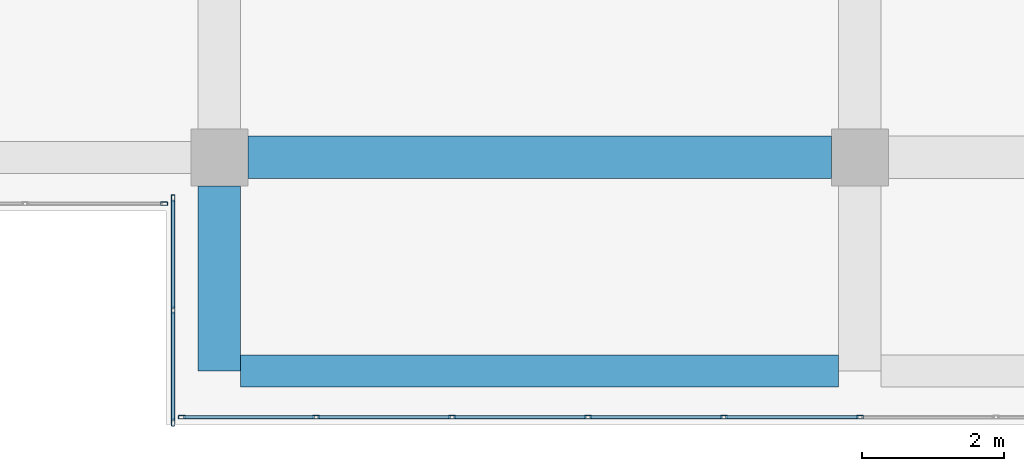
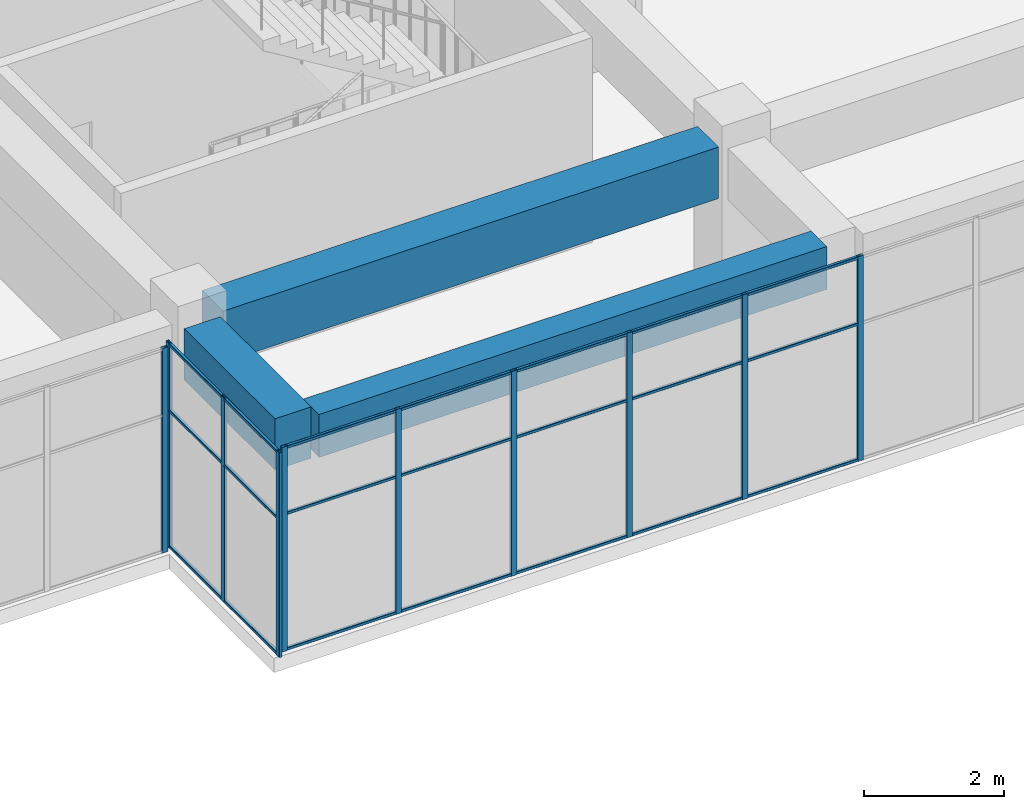
# One storey, part 21 of 52: 31 members, 3 beams, 3 elements without a shape of their own.
"""IFC4 building model written with IfcOpenShell, lengths in metres."""

from ifc_helpers import new_model, si_unit, direction, frame, origin, origin_2d, place, context, subcontext, project, spatial, rectangle, hollow_rectangle, extrude, material, layer, layer_set, material_profile, profile_set, type_object, element, aggregate, save


model = new_model("IFC4")

# Units and contexts
model_context = context("Model", 3, precision=1e-05, world=origin(), true_north=direction((0.0, 1.0)))
body_context = subcontext(model_context, "Body", "Model", "MODEL_VIEW")
ifc_project = project(units=[si_unit("LENGTHUNIT", "METRE"), si_unit("AREAUNIT", "SQUARE_METRE"), si_unit("VOLUMEUNIT", "CUBIC_METRE"), si_unit("PLANEANGLEUNIT", "RADIAN"), si_unit("MASSUNIT", "GRAM", prefix="KILO")], contexts=[model_context])

# Site, building, storey
site_placement = place(None, origin())
site = spatial("IfcSite", under=ifc_project, at=site_placement, CompositionType="ELEMENT")
building_placement = place(site_placement, origin())
building = spatial("IfcBuilding", under=site, at=building_placement, Name="Tuart Plaza Theatre", CompositionType="ELEMENT")
storey_placement = place(building_placement, frame((0.0, 0.0, 25.5)))
storey = spatial("IfcBuildingStorey", under=building, at=storey_placement, Name="L06", CompositionType="ELEMENT", Elevation=25.5)

# Beams
ifc_material_1 = material(Name="Concrete N40 (40 MPa)", Category="concrete")
ifc_material_profile_1 = material_profile(ifc_material_1, rectangle(XDim=0.449951171875, YDim=0.75, at=origin_2d()), Name="BEAM 450x750 Concrete N40 (40 MPa)")
ifc_profile_set_1 = profile_set([ifc_material_profile_1], Name="Concrete N40 (40 MPa)")
beam_type_1 = type_object("IfcBeamType", Name="BEAM 450x750 Concrete N40 (40 MPa)", PredefinedType="BEAM", material=ifc_profile_set_1)
beam_1_placement = place(storey_placement, frame((132.300048828125, 53.0, 3.205078125), z_axis=(1.0, 0.0, 0.0), x_axis=(0.0, 1.0, 0.0)))
element("IfcBeam", 1, at=beam_1_placement, inside=storey, type_object=beam_type_1, Name="RB221", PredefinedType="BEAM", context=body_context, shape_type="SweptSolid", body=[
    extrude(rectangle(XDim=0.449951171875, YDim=0.75, at=origin_2d()), origin(), (0.0, 0.0, 1.0), 8.39990234375),
])
ifc_material_2 = material(Name="Concrete N40 (40 MPa)", Category="concrete")
ifc_material_profile_2 = material_profile(ifc_material_2, rectangle(XDim=0.60009765625, YDim=0.89990234375, at=origin_2d()), Name="BEAM 600x900 Concrete N40 (40 MPa)")
ifc_profile_set_2 = profile_set([ifc_material_profile_2], Name="Concrete N40 (40 MPa)")
beam_type_2 = type_object("IfcBeamType", Name="BEAM 600x900 Concrete N40 (40 MPa)", PredefinedType="BEAM", material=ifc_profile_set_2)
beam_2_placement = place(storey_placement, frame((132.0, 53.0, 3.1298828125), z_axis=(0.0, 1.0, 0.0), x_axis=(-1.0, 0.0, 0.0)))
element("IfcBeam", 2, at=beam_2_placement, inside=storey, type_object=beam_type_2, Name="RB220", PredefinedType="BEAM", context=body_context, shape_type="SweptSolid", body=[
    extrude(rectangle(XDim=0.60009765625, YDim=0.89990234375, at=origin_2d()), origin(), (0.0, 0.0, 1.0), 2.60009765625),
])
beam_3_placement = place(storey_placement, frame((132.39990234375, 56.0, 3.1298828125), z_axis=(1.0, 0.0, 0.0), x_axis=(0.0, 1.0, 0.0)))
element("IfcBeam", 3, at=beam_3_placement, inside=storey, type_object=beam_type_2, Name="RB223", PredefinedType="BEAM", context=body_context, shape_type="SweptSolid", body=[
    extrude(rectangle(XDim=0.60009765625, YDim=0.89990234375, at=origin_2d()), origin(), (0.0, 0.0, 1.0), 8.2001953125),
])

# Curtain wall, members
ifc_material_3 = material(Name="Aluminium and glass", Category="aluminium")
ifc_layer = layer(ifc_material_3, 0.10009765625)
ifc_layer_set = layer_set([ifc_layer], Name="CURTAIN WALL 2000 module")
curtain_wall_type = type_object("IfcCurtainWallType", Name="CURTAIN WALL 2000 module", PredefinedType="NOTDEFINED", material=ifc_layer_set)
curtain_wall_1_placement = place(storey_placement, origin())
curtain_wall_1 = element("IfcCurtainWall", 4, at=curtain_wall_1_placement, inside=storey, type_object=curtain_wall_type, Name="CW75", PredefinedType="NOTDEFINED")
ifc_material_4 = material(Name="Aluminium 6063-T5", Category="aluminium")
ifc_material_profile_3 = material_profile(ifc_material_4, hollow_rectangle(XDim=0.050048828125, YDim=0.10009765625, WallThickness=0.00390625, InnerFilletRadius=0.00390625, OuterFilletRadius=0.008056640625, at=origin_2d()), Name="RHS 100x50x4")
ifc_profile_set_3 = profile_set([ifc_material_profile_3], Name="Aluminium 6063-T5")
member_type_1 = type_object("IfcMemberType", Name="MULLION RHS 100x50x4", PredefinedType="MULLION", material=ifc_profile_set_3)
member_1_placement = place(storey_placement, frame((131.35009765625, 55.425048828125, 0.0), z_axis=(0.0, 0.0, 1.0), x_axis=(1.0, 0.0, 0.0)))
member_1 = element("IfcMember", 5, at=member_1_placement, type_object=member_type_1, Name="CW75 mullion 1", PredefinedType="MULLION", context=body_context, shape_type="SweptSolid", body=[
    extrude(hollow_rectangle(XDim=0.050048828125, YDim=0.10009765625, WallThickness=0.00390625, InnerFilletRadius=0.00390625, OuterFilletRadius=0.008056640625, at=origin_2d()), origin(), (0.0, 0.0, 1.0), 3.580078125),
])
member_2_placement = place(storey_placement, frame((131.35009765625, 53.85009765625, 0.0), z_axis=(0.0, 0.0, 1.0), x_axis=(1.0, 0.0, 0.0)))
member_2 = element("IfcMember", 6, at=member_2_placement, type_object=member_type_1, Name="CW75 mullion 2", PredefinedType="MULLION", context=body_context, shape_type="SweptSolid", body=[
    extrude(hollow_rectangle(XDim=0.050048828125, YDim=0.10009765625, WallThickness=0.00390625, InnerFilletRadius=0.00390625, OuterFilletRadius=0.008056640625, at=origin_2d()), origin(), (0.0, 0.0, 1.0), 3.580078125),
])
member_3_placement = place(storey_placement, frame((131.35009765625, 52.27490234375, 0.0), z_axis=(0.0, 0.0, 1.0), x_axis=(1.0, 0.0, 0.0)))
member_3 = element("IfcMember", 7, at=member_3_placement, type_object=member_type_1, Name="CW75 mullion 3", PredefinedType="MULLION", context=body_context, shape_type="SweptSolid", body=[
    extrude(hollow_rectangle(XDim=0.050048828125, YDim=0.10009765625, WallThickness=0.00390625, InnerFilletRadius=0.00390625, OuterFilletRadius=0.008056640625, at=origin_2d()), origin(), (0.0, 0.0, 1.0), 3.580078125),
])

curtain_wall_2_placement = place(storey_placement, origin())
curtain_wall_2 = element("IfcCurtainWall", 8, at=curtain_wall_2_placement, inside=storey, type_object=curtain_wall_type, Name="CW76", PredefinedType="NOTDEFINED")
member_4_placement = place(storey_placement, frame((131.47509765625, 52.35009765625, 0.0), z_axis=(0.0, 0.0, 1.0), x_axis=(0.0, 1.0, 0.0)))
member_4 = element("IfcMember", 9, at=member_4_placement, type_object=member_type_1, Name="CW76 mullion 1", PredefinedType="MULLION", context=body_context, shape_type="SweptSolid", body=[
    extrude(hollow_rectangle(XDim=0.050048828125, YDim=0.10009765625, WallThickness=0.00390625, InnerFilletRadius=0.00390625, OuterFilletRadius=0.008056640625, at=origin_2d()), origin(), (0.0, 0.0, 1.0), 3.580078125),
])
member_5_placement = place(storey_placement, frame((133.360107421875, 52.35009765625, 0.0), z_axis=(0.0, 0.0, 1.0), x_axis=(0.0, 1.0, 0.0)))
member_5 = element("IfcMember", 10, at=member_5_placement, type_object=member_type_1, Name="CW76 mullion 2", PredefinedType="MULLION", context=body_context, shape_type="SweptSolid", body=[
    extrude(hollow_rectangle(XDim=0.050048828125, YDim=0.10009765625, WallThickness=0.00390625, InnerFilletRadius=0.00390625, OuterFilletRadius=0.008056640625, at=origin_2d()), origin(), (0.0, 0.0, 1.0), 3.580078125),
])
member_6_placement = place(storey_placement, frame((135.27001953125, 52.35009765625, 0.0), z_axis=(0.0, 0.0, 1.0), x_axis=(0.0, 1.0, 0.0)))
member_6 = element("IfcMember", 11, at=member_6_placement, type_object=member_type_1, Name="CW76 mullion 3", PredefinedType="MULLION", context=body_context, shape_type="SweptSolid", body=[
    extrude(hollow_rectangle(XDim=0.050048828125, YDim=0.10009765625, WallThickness=0.00390625, InnerFilletRadius=0.00390625, OuterFilletRadius=0.008056640625, at=origin_2d()), origin(), (0.0, 0.0, 1.0), 3.580078125),
])
member_7_placement = place(storey_placement, frame((137.179931640625, 52.35009765625, 0.0), z_axis=(0.0, 0.0, 1.0), x_axis=(0.0, 1.0, 0.0)))
member_7 = element("IfcMember", 12, at=member_7_placement, type_object=member_type_1, Name="CW76 mullion 4", PredefinedType="MULLION", context=body_context, shape_type="SweptSolid", body=[
    extrude(hollow_rectangle(XDim=0.050048828125, YDim=0.10009765625, WallThickness=0.00390625, InnerFilletRadius=0.00390625, OuterFilletRadius=0.008056640625, at=origin_2d()), origin(), (0.0, 0.0, 1.0), 3.580078125),
])
member_8_placement = place(storey_placement, frame((139.090087890625, 52.35009765625, 0.0), z_axis=(0.0, 0.0, 1.0), x_axis=(0.0, 1.0, 0.0)))
member_8 = element("IfcMember", 13, at=member_8_placement, type_object=member_type_1, Name="CW76 mullion 5", PredefinedType="MULLION", context=body_context, shape_type="SweptSolid", body=[
    extrude(hollow_rectangle(XDim=0.050048828125, YDim=0.10009765625, WallThickness=0.00390625, InnerFilletRadius=0.00390625, OuterFilletRadius=0.008056640625, at=origin_2d()), origin(), (0.0, 0.0, 1.0), 3.580078125),
])
member_9_placement = place(storey_placement, frame((141.0, 52.35009765625, 0.0), z_axis=(0.0, 0.0, 1.0), x_axis=(0.0, 1.0, 0.0)))
member_9 = element("IfcMember", 14, at=member_9_placement, type_object=member_type_1, Name="CW76 mullion 6", PredefinedType="MULLION", context=body_context, shape_type="SweptSolid", body=[
    extrude(hollow_rectangle(XDim=0.050048828125, YDim=0.10009765625, WallThickness=0.00390625, InnerFilletRadius=0.00390625, OuterFilletRadius=0.008056640625, at=origin_2d()), origin(), (0.0, 0.0, 1.0), 3.580078125),
])

# Curtain wall, member
curtain_wall_3_placement = place(storey_placement, origin())
curtain_wall_3 = element("IfcCurtainWall", 15, at=curtain_wall_3_placement, inside=storey, type_object=curtain_wall_type, Name="CW87", PredefinedType="NOTDEFINED")
member_10_placement = place(storey_placement, frame((131.22509765625, 55.35009765625, 0.0), z_axis=(0.0, 0.0, 1.0), x_axis=(0.0, 1.0, 0.0)))
member_10 = element("IfcMember", 16, at=member_10_placement, type_object=member_type_1, Name="CW87 mullion 10", PredefinedType="MULLION", context=body_context, shape_type="SweptSolid", body=[
    extrude(hollow_rectangle(XDim=0.050048828125, YDim=0.10009765625, WallThickness=0.00390625, InnerFilletRadius=0.00390625, OuterFilletRadius=0.008056640625, at=origin_2d()), origin(), (0.0, 0.0, 1.0), 3.580078125),
])
aggregate(curtain_wall_3, [member_10])

# Member
ifc_material_5 = material(Name="Aluminium 6063-T5", Category="aluminium")
ifc_material_profile_4 = material_profile(ifc_material_5, hollow_rectangle(XDim=0.050048828125, YDim=0.050048828125, WallThickness=0.00390625, InnerFilletRadius=0.00390625, OuterFilletRadius=0.008056640625, at=origin_2d()), Name="RHS 50x50x4")
ifc_profile_set_4 = profile_set([ifc_material_profile_4], Name="Aluminium 6063-T5")
member_type_2 = type_object("IfcMemberType", Name="TRANSOM RHS 50x50x4", PredefinedType="USERDEFINED", material=ifc_profile_set_4)
member_11_placement = place(storey_placement, frame((131.35009765625, 55.39990234375, 0.02490234375), z_axis=(0.0, -1.0, 0.0), x_axis=(1.0, 0.0, 0.0)))
member_11 = element("IfcMember", 17, at=member_11_placement, type_object=member_type_2, Name="CW75 transom 1.1", ObjectType="TRANSOM", PredefinedType="USERDEFINED", context=body_context, shape_type="SweptSolid", body=[
    extrude(hollow_rectangle(XDim=0.050048828125, YDim=0.050048828125, WallThickness=0.00390625, InnerFilletRadius=0.00390625, OuterFilletRadius=0.008056640625, at=origin_2d()), origin(), (0.0, 0.0, 1.0), 1.52490234375),
])

member_12_placement = place(storey_placement, frame((131.35009765625, 55.39990234375, 2.39990234375), z_axis=(0.0, -1.0, 0.0), x_axis=(1.0, 0.0, 0.0)))
member_12 = element("IfcMember", 18, at=member_12_placement, type_object=member_type_2, Name="CW75 transom 1.2", ObjectType="TRANSOM", PredefinedType="USERDEFINED", context=body_context, shape_type="SweptSolid", body=[
    extrude(hollow_rectangle(XDim=0.050048828125, YDim=0.050048828125, WallThickness=0.00390625, InnerFilletRadius=0.00390625, OuterFilletRadius=0.008056640625, at=origin_2d()), origin(), (0.0, 0.0, 1.0), 1.52490234375),
])

member_13_placement = place(storey_placement, frame((131.35009765625, 55.39990234375, 3.554931640625), z_axis=(0.0, -1.0, 0.0), x_axis=(1.0, 0.0, 0.0)))
member_13 = element("IfcMember", 19, at=member_13_placement, type_object=member_type_2, Name="CW75 transom 1.3", ObjectType="TRANSOM", PredefinedType="USERDEFINED", context=body_context, shape_type="SweptSolid", body=[
    extrude(hollow_rectangle(XDim=0.050048828125, YDim=0.050048828125, WallThickness=0.00390625, InnerFilletRadius=0.00390625, OuterFilletRadius=0.008056640625, at=origin_2d()), origin(), (0.0, 0.0, 1.0), 1.52490234375),
])

member_14_placement = place(storey_placement, frame((131.35009765625, 53.824951171875, 0.02490234375), z_axis=(0.0, -1.0, 0.0), x_axis=(1.0, 0.0, 0.0)))
member_14 = element("IfcMember", 20, at=member_14_placement, type_object=member_type_2, Name="CW75 transom 2.1", ObjectType="TRANSOM", PredefinedType="USERDEFINED", context=body_context, shape_type="SweptSolid", body=[
    extrude(hollow_rectangle(XDim=0.050048828125, YDim=0.050048828125, WallThickness=0.00390625, InnerFilletRadius=0.00390625, OuterFilletRadius=0.008056640625, at=origin_2d()), origin(), (0.0, 0.0, 1.0), 1.52490234375),
])

member_15_placement = place(storey_placement, frame((131.35009765625, 53.824951171875, 2.39990234375), z_axis=(0.0, -1.0, 0.0), x_axis=(1.0, 0.0, 0.0)))
member_15 = element("IfcMember", 21, at=member_15_placement, type_object=member_type_2, Name="CW75 transom 2.2", ObjectType="TRANSOM", PredefinedType="USERDEFINED", context=body_context, shape_type="SweptSolid", body=[
    extrude(hollow_rectangle(XDim=0.050048828125, YDim=0.050048828125, WallThickness=0.00390625, InnerFilletRadius=0.00390625, OuterFilletRadius=0.008056640625, at=origin_2d()), origin(), (0.0, 0.0, 1.0), 1.52490234375),
])

member_16_placement = place(storey_placement, frame((131.35009765625, 53.824951171875, 3.554931640625), z_axis=(0.0, -1.0, 0.0), x_axis=(1.0, 0.0, 0.0)))
member_16 = element("IfcMember", 22, at=member_16_placement, type_object=member_type_2, Name="CW75 transom 2.3", ObjectType="TRANSOM", PredefinedType="USERDEFINED", context=body_context, shape_type="SweptSolid", body=[
    extrude(hollow_rectangle(XDim=0.050048828125, YDim=0.050048828125, WallThickness=0.00390625, InnerFilletRadius=0.00390625, OuterFilletRadius=0.008056640625, at=origin_2d()), origin(), (0.0, 0.0, 1.0), 1.52490234375),
])

aggregate(curtain_wall_1, [member_1, member_2, member_3, member_11, member_12, member_13, member_14, member_15, member_16])

member_17_placement = place(storey_placement, frame((131.5, 52.35009765625, 0.02490234375), z_axis=(1.0, 0.0, 0.0), x_axis=(0.0, 1.0, 0.0)))
member_17 = element("IfcMember", 23, at=member_17_placement, type_object=member_type_2, Name="CW76 transom 1.1", ObjectType="TRANSOM", PredefinedType="USERDEFINED", context=body_context, shape_type="SweptSolid", body=[
    extrude(hollow_rectangle(XDim=0.050048828125, YDim=0.050048828125, WallThickness=0.00390625, InnerFilletRadius=0.00390625, OuterFilletRadius=0.008056640625, at=origin_2d()), origin(), (0.0, 0.0, 1.0), 1.8349609375),
])

member_18_placement = place(storey_placement, frame((131.5, 52.35009765625, 2.39990234375), z_axis=(1.0, 0.0, 0.0), x_axis=(0.0, 1.0, 0.0)))
member_18 = element("IfcMember", 24, at=member_18_placement, type_object=member_type_2, Name="CW76 transom 1.2", ObjectType="TRANSOM", PredefinedType="USERDEFINED", context=body_context, shape_type="SweptSolid", body=[
    extrude(hollow_rectangle(XDim=0.050048828125, YDim=0.050048828125, WallThickness=0.00390625, InnerFilletRadius=0.00390625, OuterFilletRadius=0.008056640625, at=origin_2d()), origin(), (0.0, 0.0, 1.0), 1.8349609375),
])

member_19_placement = place(storey_placement, frame((131.5, 52.35009765625, 3.554931640625), z_axis=(1.0, 0.0, 0.0), x_axis=(0.0, 1.0, 0.0)))
member_19 = element("IfcMember", 25, at=member_19_placement, type_object=member_type_2, Name="CW76 transom 1.3", ObjectType="TRANSOM", PredefinedType="USERDEFINED", context=body_context, shape_type="SweptSolid", body=[
    extrude(hollow_rectangle(XDim=0.050048828125, YDim=0.050048828125, WallThickness=0.00390625, InnerFilletRadius=0.00390625, OuterFilletRadius=0.008056640625, at=origin_2d()), origin(), (0.0, 0.0, 1.0), 1.8349609375),
])

member_20_placement = place(storey_placement, frame((133.385009765625, 52.35009765625, 0.02490234375), z_axis=(1.0, 0.0, 0.0), x_axis=(0.0, 1.0, 0.0)))
member_20 = element("IfcMember", 26, at=member_20_placement, type_object=member_type_2, Name="CW76 transom 2.1", ObjectType="TRANSOM", PredefinedType="USERDEFINED", context=body_context, shape_type="SweptSolid", body=[
    extrude(hollow_rectangle(XDim=0.050048828125, YDim=0.050048828125, WallThickness=0.00390625, InnerFilletRadius=0.00390625, OuterFilletRadius=0.008056640625, at=origin_2d()), origin(), (0.0, 0.0, 1.0), 1.860107421875),
])

member_21_placement = place(storey_placement, frame((133.385009765625, 52.35009765625, 2.39990234375), z_axis=(1.0, 0.0, 0.0), x_axis=(0.0, 1.0, 0.0)))
member_21 = element("IfcMember", 27, at=member_21_placement, type_object=member_type_2, Name="CW76 transom 2.2", ObjectType="TRANSOM", PredefinedType="USERDEFINED", context=body_context, shape_type="SweptSolid", body=[
    extrude(hollow_rectangle(XDim=0.050048828125, YDim=0.050048828125, WallThickness=0.00390625, InnerFilletRadius=0.00390625, OuterFilletRadius=0.008056640625, at=origin_2d()), origin(), (0.0, 0.0, 1.0), 1.860107421875),
])

member_22_placement = place(storey_placement, frame((133.385009765625, 52.35009765625, 3.554931640625), z_axis=(1.0, 0.0, 0.0), x_axis=(0.0, 1.0, 0.0)))
member_22 = element("IfcMember", 28, at=member_22_placement, type_object=member_type_2, Name="CW76 transom 2.3", ObjectType="TRANSOM", PredefinedType="USERDEFINED", context=body_context, shape_type="SweptSolid", body=[
    extrude(hollow_rectangle(XDim=0.050048828125, YDim=0.050048828125, WallThickness=0.00390625, InnerFilletRadius=0.00390625, OuterFilletRadius=0.008056640625, at=origin_2d()), origin(), (0.0, 0.0, 1.0), 1.860107421875),
])

member_23_placement = place(storey_placement, frame((135.294921875, 52.35009765625, 0.02490234375), z_axis=(1.0, 0.0, 0.0), x_axis=(0.0, 1.0, 0.0)))
member_23 = element("IfcMember", 29, at=member_23_placement, type_object=member_type_2, Name="CW76 transom 3.1", ObjectType="TRANSOM", PredefinedType="USERDEFINED", context=body_context, shape_type="SweptSolid", body=[
    extrude(hollow_rectangle(XDim=0.050048828125, YDim=0.050048828125, WallThickness=0.00390625, InnerFilletRadius=0.00390625, OuterFilletRadius=0.008056640625, at=origin_2d()), origin(), (0.0, 0.0, 1.0), 1.860107421875),
])

member_24_placement = place(storey_placement, frame((135.294921875, 52.35009765625, 2.39990234375), z_axis=(1.0, 0.0, 0.0), x_axis=(0.0, 1.0, 0.0)))
member_24 = element("IfcMember", 30, at=member_24_placement, type_object=member_type_2, Name="CW76 transom 3.2", ObjectType="TRANSOM", PredefinedType="USERDEFINED", context=body_context, shape_type="SweptSolid", body=[
    extrude(hollow_rectangle(XDim=0.050048828125, YDim=0.050048828125, WallThickness=0.00390625, InnerFilletRadius=0.00390625, OuterFilletRadius=0.008056640625, at=origin_2d()), origin(), (0.0, 0.0, 1.0), 1.860107421875),
])

member_25_placement = place(storey_placement, frame((135.294921875, 52.35009765625, 3.554931640625), z_axis=(1.0, 0.0, 0.0), x_axis=(0.0, 1.0, 0.0)))
member_25 = element("IfcMember", 31, at=member_25_placement, type_object=member_type_2, Name="CW76 transom 3.3", ObjectType="TRANSOM", PredefinedType="USERDEFINED", context=body_context, shape_type="SweptSolid", body=[
    extrude(hollow_rectangle(XDim=0.050048828125, YDim=0.050048828125, WallThickness=0.00390625, InnerFilletRadius=0.00390625, OuterFilletRadius=0.008056640625, at=origin_2d()), origin(), (0.0, 0.0, 1.0), 1.860107421875),
])

member_26_placement = place(storey_placement, frame((137.205078125, 52.35009765625, 0.02490234375), z_axis=(1.0, 0.0, 0.0), x_axis=(0.0, 1.0, 0.0)))
member_26 = element("IfcMember", 32, at=member_26_placement, type_object=member_type_2, Name="CW76 transom 4.1", ObjectType="TRANSOM", PredefinedType="USERDEFINED", context=body_context, shape_type="SweptSolid", body=[
    extrude(hollow_rectangle(XDim=0.050048828125, YDim=0.050048828125, WallThickness=0.00390625, InnerFilletRadius=0.00390625, OuterFilletRadius=0.008056640625, at=origin_2d()), origin(), (0.0, 0.0, 1.0), 1.85986328125),
])

member_27_placement = place(storey_placement, frame((137.205078125, 52.35009765625, 2.39990234375), z_axis=(1.0, 0.0, 0.0), x_axis=(0.0, 1.0, 0.0)))
member_27 = element("IfcMember", 33, at=member_27_placement, type_object=member_type_2, Name="CW76 transom 4.2", ObjectType="TRANSOM", PredefinedType="USERDEFINED", context=body_context, shape_type="SweptSolid", body=[
    extrude(hollow_rectangle(XDim=0.050048828125, YDim=0.050048828125, WallThickness=0.00390625, InnerFilletRadius=0.00390625, OuterFilletRadius=0.008056640625, at=origin_2d()), origin(), (0.0, 0.0, 1.0), 1.85986328125),
])

member_28_placement = place(storey_placement, frame((137.205078125, 52.35009765625, 3.554931640625), z_axis=(1.0, 0.0, 0.0), x_axis=(0.0, 1.0, 0.0)))
member_28 = element("IfcMember", 34, at=member_28_placement, type_object=member_type_2, Name="CW76 transom 4.3", ObjectType="TRANSOM", PredefinedType="USERDEFINED", context=body_context, shape_type="SweptSolid", body=[
    extrude(hollow_rectangle(XDim=0.050048828125, YDim=0.050048828125, WallThickness=0.00390625, InnerFilletRadius=0.00390625, OuterFilletRadius=0.008056640625, at=origin_2d()), origin(), (0.0, 0.0, 1.0), 1.85986328125),
])

member_29_placement = place(storey_placement, frame((139.114990234375, 52.35009765625, 0.02490234375), z_axis=(1.0, 0.0, 0.0), x_axis=(0.0, 1.0, 0.0)))
member_29 = element("IfcMember", 35, at=member_29_placement, type_object=member_type_2, Name="CW76 transom 5.1", ObjectType="TRANSOM", PredefinedType="USERDEFINED", context=body_context, shape_type="SweptSolid", body=[
    extrude(hollow_rectangle(XDim=0.050048828125, YDim=0.050048828125, WallThickness=0.00390625, InnerFilletRadius=0.00390625, OuterFilletRadius=0.008056640625, at=origin_2d()), origin(), (0.0, 0.0, 1.0), 1.860107421875),
])

member_30_placement = place(storey_placement, frame((139.114990234375, 52.35009765625, 2.39990234375), z_axis=(1.0, 0.0, 0.0), x_axis=(0.0, 1.0, 0.0)))
member_30 = element("IfcMember", 36, at=member_30_placement, type_object=member_type_2, Name="CW76 transom 5.2", ObjectType="TRANSOM", PredefinedType="USERDEFINED", context=body_context, shape_type="SweptSolid", body=[
    extrude(hollow_rectangle(XDim=0.050048828125, YDim=0.050048828125, WallThickness=0.00390625, InnerFilletRadius=0.00390625, OuterFilletRadius=0.008056640625, at=origin_2d()), origin(), (0.0, 0.0, 1.0), 1.860107421875),
])

member_31_placement = place(storey_placement, frame((139.114990234375, 52.35009765625, 3.554931640625), z_axis=(1.0, 0.0, 0.0), x_axis=(0.0, 1.0, 0.0)))
member_31 = element("IfcMember", 37, at=member_31_placement, type_object=member_type_2, Name="CW76 transom 5.3", ObjectType="TRANSOM", PredefinedType="USERDEFINED", context=body_context, shape_type="SweptSolid", body=[
    extrude(hollow_rectangle(XDim=0.050048828125, YDim=0.050048828125, WallThickness=0.00390625, InnerFilletRadius=0.00390625, OuterFilletRadius=0.008056640625, at=origin_2d()), origin(), (0.0, 0.0, 1.0), 1.860107421875),
])

aggregate(curtain_wall_2, [member_4, member_5, member_6, member_7, member_8, member_9, member_17, member_18, member_19, member_20, member_21, member_22, member_23, member_24, member_25, member_26, member_27, member_28, member_29, member_30, member_31])

save(model, "model.ifc")
